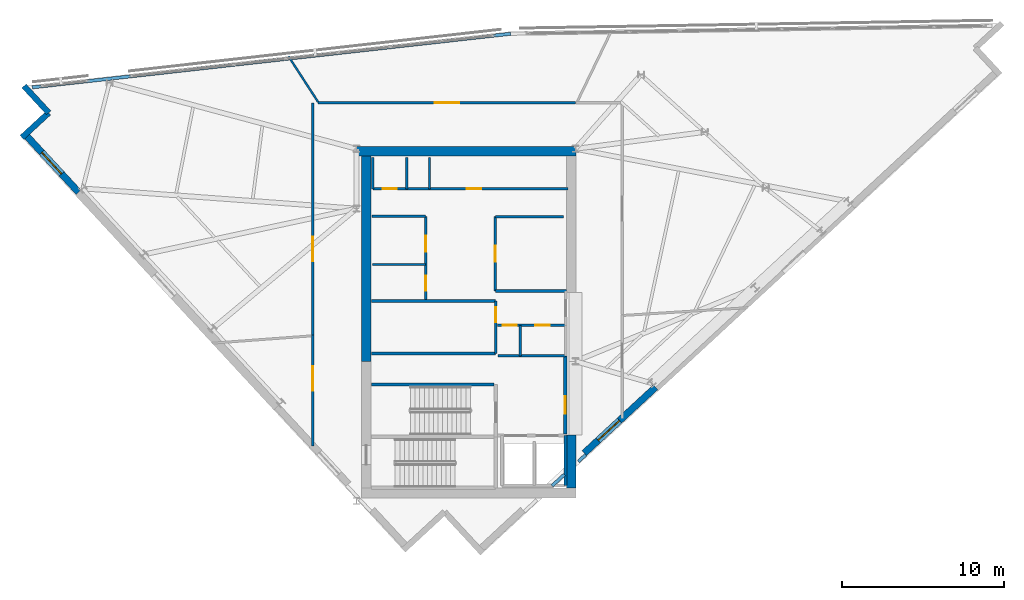
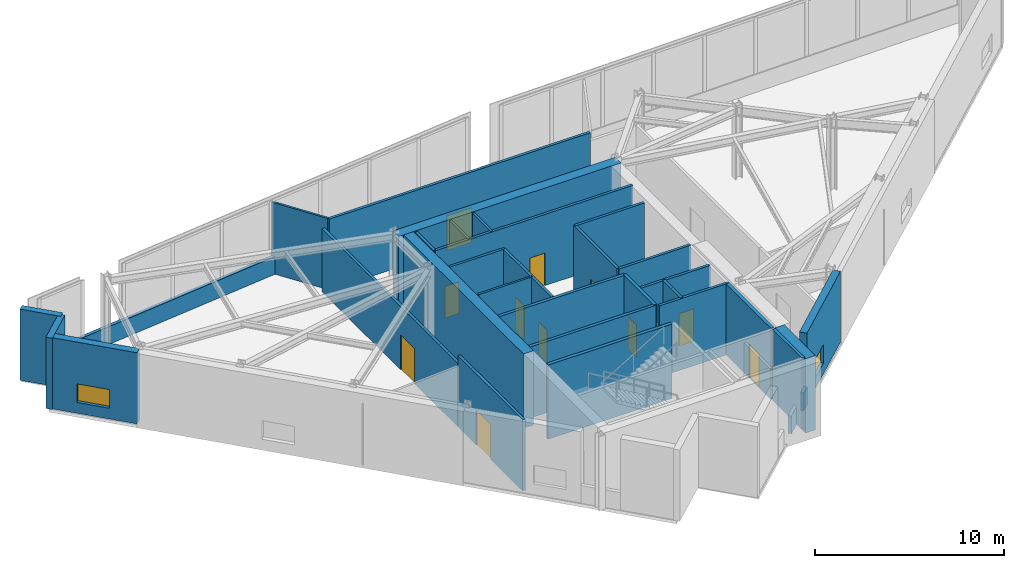
# One storey, part 9 of 12: 33 walls, 12 doors, 2 windows, 14 openings.
"""IFC4 building model written with IfcOpenShell, lengths in metres."""

import ifcopenshell
import ifcopenshell.guid

model = None  # the IFC model being written
_history = None  # IfcOwnerHistory: only IFC2X3 demands one
_inside = {}  # id of a spatial element -> (the spatial element, [elements in it])
_under = {}  # id of a project, library or spatial element -> (it, [spatial elements below it])
_declared = {}  # id of a project -> (the project, [libraries it declares])
_typed = {}  # id of a type object -> (the type object, [elements of that type])
_made_of = {}  # id of a material, layer set ... -> (it, [elements and type objects made of it])


def new_model(schema):
    """Start an empty IFC model of exactly this schema.

    Asked for "IFC4X3", IfcOpenShell would pick the latest addendum, in which some entities
    have other attributes; the version numbers below select the first issue.
    IFC2X3 requires an IfcOwnerHistory on every rooted entity: one is made here for all.
    """
    global model, _history
    if schema == "IFC4X3":
        model = ifcopenshell.file(schema_version=(4, 3, 0, 0))
    else:
        model = ifcopenshell.file(schema=schema)
    _inside.clear()
    _under.clear()
    _declared.clear()
    _typed.clear()
    _made_of.clear()
    _history = None
    if model.schema == "IFC2X3":
        org = make("IfcOrganization", Name="unknown")
        user = make(
            "IfcPersonAndOrganization",
            ThePerson=make("IfcPerson", FamilyName="unknown"),
            TheOrganization=org,
        )
        app = make(
            "IfcApplication",
            ApplicationDeveloper=org,
            Version="unknown",
            ApplicationFullName="unknown",
            ApplicationIdentifier="unknown",
        )
        _history = make(
            "IfcOwnerHistory",
            OwningUser=user,
            OwningApplication=app,
            ChangeAction="ADDED",
            CreationDate=0,
        )
    return model


def make(cls, **values):
    """One entity of the class cls with the attributes given. An attribute that is None is left unset."""
    return model.create_entity(
        cls, **{name: value for name, value in values.items() if value is not None}
    )


def rooted(cls, **values):
    """An entity with a GlobalId (a new one), such as an element, a storey or a relation."""
    return make(cls, GlobalId=ifcopenshell.guid.new(), OwnerHistory=_history, **values)


def si_unit(unit_type, name, prefix=None):
    """IfcSIUnit, for example si_unit("LENGTHUNIT", "METRE", prefix="MILLI")."""
    return make("IfcSIUnit", UnitType=unit_type, Prefix=prefix, Name=name)


def assignment(units):
    """IfcUnitAssignment: the units of a project."""
    return None if units is None else make("IfcUnitAssignment", Units=units)


def point(xyz):
    """IfcCartesianPoint."""
    return None if xyz is None else make("IfcCartesianPoint", Coordinates=xyz)


def direction(xyz):
    """IfcDirection."""
    return None if xyz is None else make("IfcDirection", DirectionRatios=xyz)


def frame(location, z_axis=None, x_axis=None):
    """IfcAxis2Placement3D, a coordinate frame: its origin and axes. An axis left out is left unset."""
    return make(
        "IfcAxis2Placement3D",
        Location=point(location),
        Axis=direction(z_axis),
        RefDirection=direction(x_axis),
    )


def frame_2d(location, x_axis=None):
    """IfcAxis2Placement2D, a coordinate frame in the plane: its origin and x axis."""
    return make(
        "IfcAxis2Placement2D", Location=point(location), RefDirection=direction(x_axis)
    )


def origin():
    """The frame at (0, 0, 0) with its axes left unset."""
    return frame((0.0, 0.0, 0.0))


def place(relative_to, where):
    """IfcLocalPlacement: puts the frame where relative to a parent placement (None: the world)."""
    return make(
        "IfcLocalPlacement", PlacementRelTo=relative_to, RelativePlacement=where
    )


def context(
    kind, dimensions, precision=None, world=None, true_north=None, identifier=None
):
    """IfcGeometricRepresentationContext, for example the 3D "Model" context."""
    return make(
        "IfcGeometricRepresentationContext",
        ContextIdentifier=identifier,
        ContextType=kind,
        CoordinateSpaceDimension=dimensions,
        Precision=precision,
        WorldCoordinateSystem=world,
        TrueNorth=true_north,
    )


def subcontext(parent, identifier, kind, view, scale=None):
    """IfcGeometricRepresentationSubContext, for example "Body" below "Model"."""
    return make(
        "IfcGeometricRepresentationSubContext",
        ContextIdentifier=identifier,
        ContextType=kind,
        ParentContext=parent,
        TargetScale=scale,
        TargetView=view,
    )


def project(units=None, contexts=None):
    """IfcProject with its units and contexts."""
    return rooted(
        "IfcProject",
        Name="project",
        RepresentationContexts=contexts,
        UnitsInContext=assignment(units),
    )


def spatial(cls, under=None, at=None, **own):
    """A site, building, storey or space (cls), placed at a placement, below another one or the project."""
    s = rooted(cls, ObjectPlacement=at, **own)
    if under is not None:
        _under.setdefault(under.id(), (under, []))[1].append(s)
    return s


def polyline(points):
    """IfcPolyline through the points."""
    return make("IfcPolyline", Points=[point(p) for p in points])


def profile(cls, at=None, kind="AREA", **sizes):
    """A parametric profile (cls). Its sizes go by their IFC names, for example OverallWidth=200.0."""
    return make(cls, ProfileType=kind, Position=at, **sizes)


def rectangle(**sizes):
    """IfcRectangleProfileDef."""
    return profile("IfcRectangleProfileDef", **sizes)


def outline(outer, holes=None, kind="AREA"):
    """IfcArbitraryClosedProfileDef: a profile drawn as a closed curve; with holes, ...WithVoids."""
    if holes is None:
        return make("IfcArbitraryClosedProfileDef", ProfileType=kind, OuterCurve=outer)
    return make(
        "IfcArbitraryProfileDefWithVoids",
        ProfileType=kind,
        OuterCurve=outer,
        InnerCurves=holes,
    )


def extrude(swept, where, along, depth):
    """IfcExtrudedAreaSolid: the profile swept, set in the frame where, extruded along a direction by depth."""
    return make(
        "IfcExtrudedAreaSolid",
        SweptArea=swept,
        Position=where,
        ExtrudedDirection=direction(along),
        Depth=depth,
    )


def shape(context_of_items, identifier, shape_type, items):
    """IfcShapeRepresentation: the items that make up one representation, for example the "Body"."""
    return make(
        "IfcShapeRepresentation",
        ContextOfItems=context_of_items,
        RepresentationIdentifier=identifier,
        RepresentationType=shape_type,
        Items=items,
    )


def material(Name=None, Category=None):
    """IfcMaterial."""
    return make("IfcMaterial", Name=Name, Category=Category)


def layer(
    of_material, thickness, ventilated=None, Name=None, Category=None, Priority=None
):
    """IfcMaterialLayer: one layer of a wall or slab, of a material (None: an air gap)."""
    return make(
        "IfcMaterialLayer",
        Material=of_material,
        LayerThickness=thickness,
        IsVentilated=ventilated,
        Name=Name,
        Category=Category,
        Priority=Priority,
    )


def layer_set(layers, Name=None):
    """IfcMaterialLayerSet."""
    return make("IfcMaterialLayerSet", MaterialLayers=layers, LayerSetName=Name)


def made_of(thing, what):
    """Note that an element or type object is made of a material, layer set ...; save() writes the relation."""
    if what is not None:
        _made_of.setdefault(what.id(), (what, []))[1].append(thing)
    return thing


def type_object(cls, material=None, **own):
    """A type object (cls), such as IfcWallType, which elements share."""
    return made_of(rooted(cls, **own), material)


def element(
    cls,
    number,
    at=None,
    inside=None,
    cuts=None,
    type_object=None,
    material=None,
    context=None,
    identifier="Body",
    shape_type=None,
    held_by="IfcProductDefinitionShape",
    body=None,
    shapes=None,
    **own,
):
    """One element of the class cls, such as IfcWall. Its Tag is "e" and its number.

    at: its placement. inside: the storey or other place that contains it. cuts: it is an
    opening in that element (IfcRelVoidsElement). A single representation is given by context,
    identifier, shape_type and body (its items); several are given by shapes. held_by: the class
    of the entity that holds the representations. save() writes the other relations.
    """
    e = rooted(cls, Tag="e%d" % number, ObjectPlacement=at, **own)
    if body is not None:
        shapes = [shape(context, identifier, shape_type, body)]
    if shapes is not None:
        e.Representation = make(held_by, Representations=shapes)
    if inside is not None:
        _inside.setdefault(inside.id(), (inside, []))[1].append(e)
    if cuts is not None:
        rooted(
            "IfcRelVoidsElement", RelatingBuildingElement=cuts, RelatedOpeningElement=e
        )
    if type_object is not None:
        _typed.setdefault(type_object.id(), (type_object, []))[1].append(e)
    return made_of(e, material)


def fill(opening, filler):
    """IfcRelFillsElement: the door or window that sits in an opening."""
    return rooted(
        "IfcRelFillsElement",
        RelatingOpeningElement=opening,
        RelatedBuildingElement=filler,
    )


def aggregate(whole, parts):
    """IfcRelAggregates: a whole, such as a stair, and the parts it consists of."""
    return rooted("IfcRelAggregates", RelatingObject=whole, RelatedObjects=parts)


def save(model, path):
    """Write the relations noted so far, then the file.

    IfcRelAggregates (storeys below a building ...), IfcRelContainedInSpatialStructure (elements
    in a storey), IfcRelDefinesByType, IfcRelAssociatesMaterial and IfcRelDeclares: one each for
    every whole, place, type object, material and project.
    """
    for whole, parts in _under.values():
        aggregate(whole, parts)
    for where, things in _inside.values():
        rooted(
            "IfcRelContainedInSpatialStructure",
            RelatedElements=things,
            RelatingStructure=where,
        )
    for kind, things in _typed.values():
        rooted("IfcRelDefinesByType", RelatedObjects=things, RelatingType=kind)
    for what, things in _made_of.values():
        rooted("IfcRelAssociatesMaterial", RelatedObjects=things, RelatingMaterial=what)
    for by, libraries in _declared.values():
        rooted("IfcRelDeclares", RelatingContext=by, RelatedDefinitions=libraries)
    model.write(path)


model = new_model("IFC4")

# Units and contexts
model_context = context("Model", 3, precision=1e-05, world=origin(), true_north=direction((0.0, 1.0)))
body_context = subcontext(model_context, "Body", "Model", "MODEL_VIEW")
ifc_project = project(units=[si_unit("LENGTHUNIT", "METRE"), si_unit("AREAUNIT", "SQUARE_METRE"), si_unit("VOLUMEUNIT", "CUBIC_METRE"), si_unit("PLANEANGLEUNIT", "RADIAN"), si_unit("MASSUNIT", "GRAM", prefix="KILO")], contexts=[model_context])

# Site, building, storey
site_placement = place(None, origin())
site = spatial("IfcSite", under=ifc_project, at=site_placement, CompositionType="ELEMENT")
building_placement = place(site_placement, origin())
building = spatial("IfcBuilding", under=site, at=building_placement, Name="Narakoshi Arena Tower", CompositionType="ELEMENT")
storey_placement = place(building_placement, frame((0.0, 0.0, 302.97998046875)))
storey = spatial("IfcBuildingStorey", under=building, at=storey_placement, Name="L82", CompositionType="ELEMENT", Elevation=302.97998046875)

# Walls
ifc_material_1 = material(Name="Concrete C50/60", Category="concrete")
ifc_layer_1 = layer(ifc_material_1, 0.60009765625)
ifc_layer_set_1 = layer_set([ifc_layer_1], Name="Concrete C50/60")
wall_type_1 = type_object("IfcWallType", Name="WL-CORE-600", PredefinedType="SHEAR", material=ifc_layer_set_1)
wall_1_placement = place(storey_placement, frame((85.300048828125, 35.5, -0.199951171875), z_axis=(0.0, 0.0, 1.0), x_axis=(0.0, 1.0, 0.0)))
element("IfcWall", 1, at=wall_1_placement, inside=storey, type_object=wall_type_1, Name="L82 Central Core Shear Wall CW-APX-E", PredefinedType="SHEAR", context=body_context, shape_type="SweptSolid", body=[
    extrude(rectangle(XDim=3.300048828125, YDim=0.60009765625, at=frame_2d((1.64990234375, 0.0))), origin(), (0.0, 0.0, 1.0), 4.800048828125),
])
wall_2_placement = place(storey_placement, frame((72.60009765625, 43.35009765625, -0.199951171875), z_axis=(0.0, 0.0, 1.0), x_axis=(0.0, 1.0, 0.0)))
element("IfcWall", 2, at=wall_2_placement, inside=storey, type_object=wall_type_1, Name="L82 Main Core Shear Wall CW-MN-W", PredefinedType="SHEAR", context=body_context, shape_type="SweptSolid", body=[
    extrude(rectangle(XDim=12.699951171875, YDim=0.60009765625, at=frame_2d((6.35009765625, 0.0))), origin(), (0.0, 0.0, 1.0), 4.800048828125),
])
wall_3_placement = place(storey_placement, frame((72.0, 56.35009765625, -0.199951171875), z_axis=(0.0, 0.0, 1.0), x_axis=(1.0, 0.0, 0.0)))
element("IfcWall", 3, at=wall_3_placement, inside=storey, type_object=wall_type_1, Name="L82 Main Core Shear Wall CW-MN-N", PredefinedType="SHEAR", context=body_context, shape_type="SweptSolid", body=[
    extrude(rectangle(XDim=13.60009765625, YDim=0.60009765625, at=frame_2d((6.800048828125, 0.0))), origin(), (0.0, 0.0, 1.0), 4.800048828125),
])

# Wall, opening, door
ifc_material_2 = material(Name="Gypsum plasterboard fire-rated partition")
ifc_layer_2 = layer(ifc_material_2, 0.1650390625)
ifc_layer_set_2 = layer_set([ifc_layer_2], Name="Gypsum plasterboard fire-rated partition")
wall_type_2 = type_object("IfcWallType", Name="WL-CORR-165", PredefinedType="PARTITIONING", material=ifc_layer_set_2)
wall_4_placement = place(storey_placement, frame((69.300048828125, 44.96533203125, 0.0), z_axis=(0.0, 0.0, 1.0), x_axis=(0.0, -1.0, 0.0)))
wall_4 = element("IfcWall", 4, at=wall_4_placement, inside=storey, type_object=wall_type_2, Name="L82 Corridor Partition 01-1", PredefinedType="PARTITIONING", context=body_context, shape_type="SweptSolid", body=[
    extrude(rectangle(XDim=6.856201171875, YDim=0.1650390625, at=frame_2d((3.42822265625, 0.0))), origin(), (0.0, 0.0, 1.0), 4.60009765625),
])
opening_1_placement = place(wall_4_placement, frame((1.9345703125, 0.0, 0.0)))
opening_1 = element("IfcOpeningElement", 5, at=opening_1_placement, cuts=wall_4, Name="Opening D-09", PredefinedType="OPENING", context=body_context, shape_type="SweptSolid", body=[
    extrude(rectangle(XDim=1.5, YDim=2.25, at=frame_2d((0.75, 1.125))), frame((0.0, 0.092529296875, 0.0), z_axis=(0.0, -1.0, 0.0), x_axis=(1.0, 0.0, 0.0)), (0.0, 0.0, 1.0), 0.18505859375),
])
ifc_material_3 = material(Name="Painted galvanized steel", Category="steel")
door_type_1 = type_object("IfcDoorType", Name="DR-PLT-1500", OperationType="DOUBLE_DOOR_SINGLE_SWING", PredefinedType="DOOR", material=ifc_material_3)
door_1_placement = place(opening_1_placement, frame((1.5, 0.0, 0.0), z_axis=(0.0, 0.0, 1.0), x_axis=(-1.0, 0.0, 0.0)))
door_1 = element("IfcDoor", 6, at=door_1_placement, inside=storey, type_object=door_type_1, Name="DR-L82-015", OperationType="DOUBLE_DOOR_SINGLE_SWING", OverallHeight=2.25, OverallWidth=1.5, PredefinedType="DOOR", context=body_context, shape_type="SweptSolid", body=[
    extrude(rectangle(XDim=1.5, YDim=2.25, at=frame_2d((0.75, 1.125))), frame((0.0, 0.02490234375, 0.0), z_axis=(0.0, -1.0, 0.0), x_axis=(1.0, 0.0, 0.0)), (0.0, 0.0, 1.0), 0.050048828125),
])
fill(opening_1, door_1)

wall_5_placement = place(storey_placement, frame((85.5673828125, 59.35009765625, 0.0), z_axis=(0.0, 0.0, 1.0), x_axis=(-1.0, 0.0, 0.0)))
wall_5 = element("IfcWall", 7, at=wall_5_placement, inside=storey, type_object=wall_type_2, Name="L82 Corridor Partition 04-1", PredefinedType="PARTITIONING", context=body_context, shape_type="SweptSolid", body=[
    extrude(rectangle(XDim=15.9404296875, YDim=0.1650390625, at=frame_2d((7.97021484375, 0.0))), origin(), (0.0, 0.0, 1.0), 4.60009765625),
])
opening_2_placement = place(wall_5_placement, frame((7.22021484375, 0.0, 0.0)))
opening_2 = element("IfcOpeningElement", 8, at=opening_2_placement, cuts=wall_5, Name="Opening D-09", PredefinedType="OPENING", context=body_context, shape_type="SweptSolid", body=[
    extrude(rectangle(XDim=1.5, YDim=2.25, at=frame_2d((0.75, 1.125))), frame((0.0, 0.092529296875, 0.0), z_axis=(0.0, -1.0, 0.0), x_axis=(1.0, 0.0, 0.0)), (0.0, 0.0, 1.0), 0.18505859375),
])
door_2_placement = place(opening_2_placement, frame((1.5, 0.0, 0.0), z_axis=(0.0, 0.0, 1.0), x_axis=(-1.0, 0.0, 0.0)))
door_2 = element("IfcDoor", 9, at=door_2_placement, inside=storey, type_object=door_type_1, Name="DR-L82-018", OperationType="DOUBLE_DOOR_SINGLE_SWING", OverallHeight=2.25, OverallWidth=1.5, PredefinedType="DOOR", context=body_context, shape_type="SweptSolid", body=[
    extrude(rectangle(XDim=1.5, YDim=2.25, at=frame_2d((0.75, 1.125))), frame((0.0, 0.02490234375, 0.0), z_axis=(0.0, -1.0, 0.0), x_axis=(1.0, 0.0, 0.0)), (0.0, 0.0, 1.0), 0.050048828125),
])
fill(opening_2, door_2)

wall_6_placement = place(storey_placement, frame((69.300048828125, 59.35009765625, 0.0), z_axis=(0.0, 0.0, 1.0), x_axis=(0.0, -1.0, 0.0)))
wall_6 = element("IfcWall", 10, at=wall_6_placement, inside=storey, type_object=wall_type_2, Name="L82 Corridor Partition 05-1", PredefinedType="PARTITIONING", context=body_context, shape_type="SweptSolid", body=[
    extrude(rectangle(XDim=14.360595703125, YDim=0.1650390625, at=frame_2d((7.18017578125, 0.0))), origin(), (0.0, 0.0, 1.0), 4.0849609375),
])
opening_3_placement = place(wall_6_placement, frame((8.29931640625, 0.0, 0.0)))
opening_3 = element("IfcOpeningElement", 11, at=opening_3_placement, cuts=wall_6, Name="Opening D-09", PredefinedType="OPENING", context=body_context, shape_type="SweptSolid", body=[
    extrude(rectangle(XDim=1.5, YDim=2.25, at=frame_2d((0.75, 1.125))), frame((0.0, 0.092529296875, 0.0), z_axis=(0.0, -1.0, 0.0), x_axis=(1.0, 0.0, 0.0)), (0.0, 0.0, 1.0), 0.18505859375),
])
door_3_placement = place(opening_3_placement, frame((1.5, 0.0, 0.0), z_axis=(0.0, 0.0, 1.0), x_axis=(-1.0, 0.0, 0.0)))
door_3 = element("IfcDoor", 12, at=door_3_placement, inside=storey, type_object=door_type_1, Name="DR-L82-019", OperationType="DOUBLE_DOOR_SINGLE_SWING", OverallHeight=2.25, OverallWidth=1.5, PredefinedType="DOOR", context=body_context, shape_type="SweptSolid", body=[
    extrude(rectangle(XDim=1.5, YDim=2.25, at=frame_2d((0.75, 1.125))), frame((0.0, 0.02490234375, 0.0), z_axis=(0.0, -1.0, 0.0), x_axis=(1.0, 0.0, 0.0)), (0.0, 0.0, 1.0), 0.050048828125),
])
fill(opening_3, door_3)

# Walls
ifc_material_4 = material(Name="Precast concrete C45/55", Category="concrete")
ifc_layer_3 = layer(ifc_material_4, 0.25)
ifc_layer_set_3 = layer_set([ifc_layer_3], Name="Precast concrete C45/55")
wall_type_3 = type_object("IfcWallType", Name="WL-PARA-250", PredefinedType="PARAPET", material=ifc_layer_set_3)
wall_7_placement = place(storey_placement, frame((51.936279296875, 60.3037109375, 0.0), z_axis=(0.0, 0.0, 1.0), x_axis=(0.993776757355, 0.111390109707, 0.0)))
element("IfcWall", 13, at=wall_7_placement, inside=storey, type_object=wall_type_3, Name="L82 Crown Sill Upstand Parapet 03", PredefinedType="PARAPET", context=body_context, shape_type="SweptSolid", body=[
    extrude(rectangle(XDim=29.797119140625, YDim=0.199951171875, at=frame_2d((14.8984375, 0.0))), origin(), (0.0, 0.0, 1.0), 1.14990234375),
])
wall_8_placement = place(storey_placement, frame((86.191650390625, 37.56591796875, 0.0), z_axis=(0.0, 0.0, 1.0), x_axis=(-0.734346728958, -0.678774544064, 0.0)))
element("IfcWall", 14, at=wall_8_placement, inside=storey, type_object=wall_type_3, Name="L82 Crown Sill Upstand Parapet 05", PredefinedType="PARAPET", context=body_context, shape_type="SweptSolid", body=[
    extrude(rectangle(XDim=0.614990234375, YDim=0.199951171875, at=frame_2d((0.3076171875, 0.0))), origin(), (0.0, 0.0, 1.0), 1.14990234375),
])
wall_9_placement = place(storey_placement, frame((84.860107421875, 36.3349609375, 0.0), z_axis=(0.0, 0.0, 1.0), x_axis=(-0.734337093013, -0.678784968768, 0.0)))
element("IfcWall", 15, at=wall_9_placement, inside=storey, type_object=wall_type_3, Name="L82 Crown Sill Upstand Parapet 06", PredefinedType="PARAPET", context=body_context, shape_type="SweptSolid", body=[
    extrude(rectangle(XDim=1.02392578125, YDim=0.199951171875, at=frame_2d((0.511962890625, 0.0))), origin(), (0.0, 0.0, 1.0), 1.14990234375),
])
ifc_layer_4 = layer(ifc_material_2, 0.125)
ifc_layer_set_4 = layer_set([ifc_layer_4], Name="Gypsum plasterboard fire-rated partition")
wall_type_4 = type_object("IfcWallType", Name="WL-PART-125", PredefinedType="PARTITIONING", material=ifc_layer_set_4)
wall_10_placement = place(storey_placement, frame((73.0, 49.35009765625, 0.0), z_axis=(0.0, 0.0, 1.0), x_axis=(1.0, 0.0, 0.0)))
element("IfcWall", 16, at=wall_10_placement, inside=storey, type_object=wall_type_4, Name="L82 Core Wall RCL-LR-D1", PredefinedType="PARTITIONING", context=body_context, shape_type="SweptSolid", body=[
    extrude(rectangle(XDim=3.280029296875, YDim=0.125, at=frame_2d((1.64013671875, 0.0))), origin(), (0.0, 0.0, 1.0), 4.60009765625),
])
wall_11_placement = place(storey_placement, frame((69.626953125, 59.39794921875, 0.0), z_axis=(0.0, 0.0, 1.0), x_axis=(-0.544077969561, 0.839034661404, 0.0)))
element("IfcWall", 17, at=wall_11_placement, inside=storey, type_object=wall_type_4, Name="L82 Inter-Room Partition 04-05", PredefinedType="PARTITIONING", context=body_context, shape_type="SweptSolid", body=[
    extrude(rectangle(XDim=3.3662109375, YDim=0.125, at=frame_2d((1.68310546875, 0.0))), origin(), (0.0, 0.0, 1.0), 4.60009765625),
])

# Wall, opening, window
ifc_layer_5 = layer(ifc_material_4, 0.419921875)
ifc_layer_set_5 = layer_set([ifc_layer_5], Name="Precast concrete C45/55")
wall_type_5 = type_object("IfcWallType", Name="WL-POD-420", PredefinedType="SOLIDWALL", material=ifc_layer_set_5)
wall_12_placement = place(storey_placement, frame((86.10009765625, 37.6650390625, 0.0), z_axis=(0.0, 0.0, 1.0), x_axis=(0.734321413343, 0.678801931277, 0.0)))
wall_12 = element("IfcWall", 18, at=wall_12_placement, inside=storey, type_object=wall_type_5, Name="L82 Architectural Concrete Facade Wall LEGA-2", PredefinedType="SOLIDWALL", context=body_context, shape_type="SweptSolid", body=[
    extrude(outline(polyline([(0.0, 0.0), (6.00244140625, 0.0), (6.00244140625, 4.60009765625), (0.0, 4.60009765625), (0.0, 0.0)])), frame((0.0, 0.2099609375, 0.0), z_axis=(0.0, -1.0, 0.0), x_axis=(1.0, 0.0, 0.0)), (0.0, 0.0, 1.0), 0.419921875),
])
opening_4_placement = place(wall_12_placement, frame((1.169189453125, 0.0, 0.699951171875)))
opening_4 = element("IfcOpeningElement", 19, at=opening_4_placement, cuts=wall_12, Name="Opening WN-05", PredefinedType="OPENING", context=body_context, shape_type="SweptSolid", body=[
    extrude(rectangle(XDim=1.800048828125, YDim=1.199951171875, at=frame_2d((0.89990234375, 0.60009765625))), frame((0.0, 0.219970703125, 0.0), z_axis=(0.0, -1.0, 0.0), x_axis=(1.0, 0.0, 0.0)), (0.0, 0.0, 1.0), 0.43994140625),
])
ifc_material_5 = material(Name="Bronze-tinted low-E laminated glass", Category="glass")
window_type = type_object("IfcWindowType", Name="WIN-SLT-18x12", PartitioningType="SINGLE_PANEL", PredefinedType="WINDOW", material=ifc_material_5)
window_1_placement = place(opening_4_placement, origin())
window_1 = element("IfcWindow", 20, at=window_1_placement, inside=storey, type_object=window_type, Name="L82 LEGA2 Horizontal Slot Window 1", OverallHeight=1.199951171875, OverallWidth=1.800048828125, PartitioningType="SINGLE_PANEL", PredefinedType="WINDOW", context=body_context, shape_type="SweptSolid", body=[
    extrude(rectangle(XDim=1.800048828125, YDim=1.199951171875, at=frame_2d((0.89990234375, 0.60009765625))), frame((0.0, 0.030029296875, 0.0), z_axis=(0.0, -1.0, 0.0), x_axis=(1.0, 0.0, 0.0)), (0.0, 0.0, 1.0), 0.06005859375),
])
fill(opening_4, window_1)

wall_13_placement = place(storey_placement, frame((51.5, 57.38720703125, 0.0), z_axis=(0.0, 0.0, 1.0), x_axis=(0.67880684669, -0.734316869537, 0.0)))
wall_13 = element("IfcWall", 21, at=wall_13_placement, inside=storey, type_object=wall_type_5, Name="L82 Architectural Concrete Facade Wall LEGB-1", PredefinedType="SOLIDWALL", context=body_context, shape_type="SweptSolid", body=[
    extrude(outline(polyline([(0.0, 0.0), (4.86865234375, 0.0), (4.868408203125, 4.60009765625), (0.0, 4.60009765625), (0.0, 0.0)])), frame((0.0, 0.2099609375, 0.0), z_axis=(0.0, -1.0, 0.0), x_axis=(1.0, 0.0, 0.0)), (0.0, 0.0, 1.0), 0.419921875),
])
opening_5_placement = place(wall_13_placement, frame((1.51708984375, 0.0, 0.699951171875)))
opening_5 = element("IfcOpeningElement", 22, at=opening_5_placement, cuts=wall_13, Name="Opening WN-05", PredefinedType="OPENING", context=body_context, shape_type="SweptSolid", body=[
    extrude(rectangle(XDim=1.800048828125, YDim=1.199951171875, at=frame_2d((0.89990234375, 0.60009765625))), frame((0.0, 0.219970703125, 0.0), z_axis=(0.0, -1.0, 0.0), x_axis=(1.0, 0.0, 0.0)), (0.0, 0.0, 1.0), 0.43994140625),
])
window_2_placement = place(opening_5_placement, origin())
window_2 = element("IfcWindow", 23, at=window_2_placement, inside=storey, type_object=window_type, Name="L82 LEGB1 Horizontal Slot Window 1", OverallHeight=1.199951171875, OverallWidth=1.800048828125, PartitioningType="SINGLE_PANEL", PredefinedType="WINDOW", context=body_context, shape_type="SweptSolid", body=[
    extrude(rectangle(XDim=1.800048828125, YDim=1.199951171875, at=frame_2d((0.89990234375, 0.60009765625))), frame((0.0, 0.030029296875, 0.0), z_axis=(0.0, -1.0, 0.0), x_axis=(1.0, 0.0, 0.0)), (0.0, 0.0, 1.0), 0.06005859375),
])
fill(opening_5, window_2)

# Walls
for number, where, z_axis, x_axis, name in (
    (24, (51.42333984375, 60.38720703125, 0.0), (0.0, 0.0, 1.0), (0.678792531533, -0.734330102294, 0.0), "L82 Re-Entrant Corner Notch Wall NTN-1"),
    (25, (52.9541015625, 58.731201171875, 0.0), (0.0, 0.0, 1.0), (-0.734330102294, -0.678792531533, 0.0), "L82 Re-Entrant Corner Notch Wall NTN-2"),
):
    element("IfcWall", number, at=place(storey_placement, frame(where, z_axis=z_axis, x_axis=x_axis)), inside=storey, type_object=wall_type_5, Name=name, PredefinedType="SOLIDWALL", context=body_context, shape_type="SweptSolid", body=[
        extrude(rectangle(XDim=2.255126953125, YDim=0.360107421875, at=frame_2d((1.12744140625, 0.0))), origin(), (0.0, 0.0, 1.0), 4.60009765625),
    ])
ifc_material_6 = material(Name="Concrete C40/50", Category="concrete")
ifc_layer_6 = layer(ifc_material_6, 0.280029296875)
ifc_layer_set_6 = layer_set([ifc_layer_6], Name="Concrete C40/50")
wall_type_6 = type_object("IfcWallType", Name="WL-RISER-280", PredefinedType="PLUMBINGWALL", material=ifc_layer_set_6)
wall_14_placement = place(storey_placement, frame((72.919921875, 43.830078125, 0.0), z_axis=(0.0, 0.0, 1.0), x_axis=(1.0, 0.0, 0.0)))
element("IfcWall", 26, at=wall_14_placement, inside=storey, type_object=wall_type_6, Name="L82 Core Wall CST-S", PredefinedType="PLUMBINGWALL", context=body_context, shape_type="SweptSolid", body=[
    extrude(rectangle(XDim=7.7001953125, YDim=0.179931640625, at=frame_2d((3.85009765625, 0.0))), origin(), (0.0, 0.0, 1.0), 4.60009765625),
])

# Wall, opening, door
wall_15_placement = place(storey_placement, frame((80.6201171875, 43.830078125, 0.0), z_axis=(0.0, 0.0, 1.0), x_axis=(0.0, 1.0, 0.0)))
wall_15 = element("IfcWall", 27, at=wall_15_placement, inside=storey, type_object=wall_type_6, Name="L82 Core Wall CST-E", PredefinedType="PLUMBINGWALL", context=body_context, shape_type="SweptSolid", body=[
    extrude(rectangle(XDim=3.239990234375, YDim=0.179931640625, at=frame_2d((1.6201171875, 0.0))), origin(), (0.0, 0.0, 1.0), 4.60009765625),
])
opening_6_placement = place(wall_15_placement, frame((1.949951171875, 0.0, 0.0)))
opening_6 = element("IfcOpeningElement", 28, at=opening_6_placement, cuts=wall_15, Name="Opening D-08", PredefinedType="OPENING", context=body_context, shape_type="SweptSolid", body=[
    extrude(rectangle(XDim=0.89990234375, YDim=2.10009765625, at=frame_2d((0.449951171875, 1.050048828125))), frame((0.0, 0.099853515625, 0.0), z_axis=(0.0, -1.0, 0.0), x_axis=(1.0, 0.0, 0.0)), (0.0, 0.0, 1.0), 0.199951171875),
])
ifc_material_7 = material(Name="Moisture-resistant laminate timber", Category="wood")
door_type_2 = type_object("IfcDoorType", Name="DR-WC-900", OperationType="NOTDEFINED", PredefinedType="DOOR", material=ifc_material_7)
door_4_placement = place(opening_6_placement, frame((0.89990234375, 0.0, 0.0), z_axis=(0.0, 0.0, 1.0), x_axis=(-1.0, 0.0, 0.0)))
door_4 = element("IfcDoor", 29, at=door_4_placement, inside=storey, type_object=door_type_2, Name="DR-L82-006", OperationType="SINGLE_SWING_RIGHT", OverallHeight=2.10009765625, OverallWidth=0.89990234375, PredefinedType="DOOR", context=body_context, shape_type="SweptSolid", body=[
    extrude(rectangle(XDim=0.89990234375, YDim=2.10009765625, at=frame_2d((0.449951171875, 1.050048828125))), frame((0.0, 0.02490234375, 0.0), z_axis=(0.0, -1.0, 0.0), x_axis=(1.0, 0.0, 0.0)), (0.0, 0.0, 1.0), 0.050048828125),
])
fill(opening_6, door_4)

# Wall
wall_16_placement = place(storey_placement, frame((72.919921875, 47.070068359375, 0.0), z_axis=(0.0, 0.0, 1.0), x_axis=(1.0, 0.0, 0.0)))
element("IfcWall", 30, at=wall_16_placement, inside=storey, type_object=wall_type_6, Name="L82 Core Wall CST-N", PredefinedType="PLUMBINGWALL", context=body_context, shape_type="SweptSolid", body=[
    extrude(rectangle(XDim=7.7001953125, YDim=0.179931640625, at=frame_2d((3.85009765625, 0.0))), origin(), (0.0, 0.0, 1.0), 4.60009765625),
])

# Wall, openings, doors
wall_17_placement = place(storey_placement, frame((80.719970703125, 45.580078125, 0.0), z_axis=(0.0, 0.0, 1.0), x_axis=(1.0, 0.0, 0.0)))
wall_17 = element("IfcWall", 31, at=wall_17_placement, inside=storey, type_object=wall_type_6, Name="L82 Core Wall RSR-N", PredefinedType="PLUMBINGWALL", context=body_context, shape_type="SweptSolid", body=[
    extrude(rectangle(XDim=4.22998046875, YDim=0.159912109375, at=frame_2d((2.114990234375, 0.0))), origin(), (0.0, 0.0, 1.0), 4.60009765625),
])
opening_7_placement = place(wall_17_placement, frame((0.35009765625, 0.0, 0.0)))
opening_7 = element("IfcOpeningElement", 32, at=opening_7_placement, cuts=wall_17, Name="Opening D-10", PredefinedType="OPENING", context=body_context, shape_type="SweptSolid", body=[
    extrude(rectangle(XDim=0.85009765625, YDim=2.050048828125, at=frame_2d((0.425048828125, 1.02490234375))), frame((0.0, 0.08984375, 0.0), z_axis=(0.0, -1.0, 0.0), x_axis=(1.0, 0.0, 0.0)), (0.0, 0.0, 1.0), 0.179931640625),
])
opening_8_placement = place(wall_17_placement, frame((2.35009765625, 0.0, 0.0)))
opening_8 = element("IfcOpeningElement", 33, at=opening_8_placement, cuts=wall_17, Name="Opening D-08", PredefinedType="OPENING", context=body_context, shape_type="SweptSolid", body=[
    extrude(rectangle(XDim=0.89990234375, YDim=2.10009765625, at=frame_2d((0.449951171875, 1.050048828125))), frame((0.0, 0.08984375, 0.0), z_axis=(0.0, -1.0, 0.0), x_axis=(1.0, 0.0, 0.0)), (0.0, 0.0, 1.0), 0.179931640625),
])
door_type_3 = type_object("IfcDoorType", Name="DR-RSR-850", OperationType="NOTDEFINED", PredefinedType="DOOR", material=ifc_material_3)
door_5_placement = place(opening_7_placement, frame((0.85009765625, 0.0, 0.0), z_axis=(0.0, 0.0, 1.0), x_axis=(-1.0, 0.0, 0.0)))
door_5 = element("IfcDoor", 34, at=door_5_placement, inside=storey, type_object=door_type_3, Name="DR-L82-008", OperationType="SINGLE_SWING_LEFT", OverallHeight=2.050048828125, OverallWidth=0.85009765625, PredefinedType="DOOR", context=body_context, shape_type="SweptSolid", body=[
    extrude(rectangle(XDim=0.85009765625, YDim=2.050048828125, at=frame_2d((0.425048828125, 1.02490234375))), frame((0.0, 0.02490234375, 0.0), z_axis=(0.0, -1.0, 0.0), x_axis=(1.0, 0.0, 0.0)), (0.0, 0.0, 1.0), 0.050048828125),
])
fill(opening_7, door_5)
door_6_placement = place(opening_8_placement, frame((0.89990234375, 0.0, 0.0), z_axis=(0.0, 0.0, 1.0), x_axis=(-1.0, 0.0, 0.0)))
door_6 = element("IfcDoor", 35, at=door_6_placement, inside=storey, type_object=door_type_2, Name="DR-L82-009", OperationType="SINGLE_SWING_RIGHT", OverallHeight=2.10009765625, OverallWidth=0.89990234375, PredefinedType="DOOR", context=body_context, shape_type="SweptSolid", body=[
    extrude(rectangle(XDim=0.89990234375, YDim=2.10009765625, at=frame_2d((0.449951171875, 1.050048828125))), frame((0.0, 0.02490234375, 0.0), z_axis=(0.0, -1.0, 0.0), x_axis=(1.0, 0.0, 0.0)), (0.0, 0.0, 1.0), 0.050048828125),
])
fill(opening_8, door_6)

# Walls
wall_18_placement = place(storey_placement, frame((80.760009765625, 43.679931640625, 0.0), z_axis=(0.0, 0.0, 1.0), x_axis=(1.0, 0.0, 0.0)))
element("IfcWall", 36, at=wall_18_placement, inside=storey, type_object=wall_type_6, Name="L82 Core Wall RSR-S", PredefinedType="PLUMBINGWALL", context=body_context, shape_type="SweptSolid", body=[
    extrude(rectangle(XDim=4.18994140625, YDim=0.159912109375, at=frame_2d((2.094970703125, 0.0))), origin(), (0.0, 0.0, 1.0), 4.60009765625),
])
wall_19_placement = place(storey_placement, frame((82.14990234375, 43.679931640625, 0.0), z_axis=(0.0, 0.0, 1.0), x_axis=(0.0, 1.0, 0.0)))
element("IfcWall", 37, at=wall_19_placement, inside=storey, type_object=wall_type_6, Name="L82 Core Wall RSR-M", PredefinedType="PLUMBINGWALL", context=body_context, shape_type="SweptSolid", body=[
    extrude(rectangle(XDim=1.900146484375, YDim=0.159912109375, at=frame_2d((0.9501953125, 0.0))), origin(), (0.0, 0.0, 1.0), 4.60009765625),
])
for number, where, z_axis, x_axis, name in (
    (38, (73.02001953125, 54.02001953125, 0.0), (0.0, 0.0, 1.0), (0.0, 1.0, 0.0), "L82 Core Wall OBS-W"),
    (39, (75.1201171875, 54.02001953125, 0.0), (0.0, 0.0, 1.0), (0.0, 1.0, 0.0), "L82 Core Wall OBS-M"),
    (40, (76.52001953125, 54.02001953125, 0.0), (0.0, 0.0, 1.0), (0.0, 1.0, 0.0), "L82 Core Wall OBS-E"),
):
    element("IfcWall", number, at=place(storey_placement, frame(where, z_axis=z_axis, x_axis=x_axis)), inside=storey, type_object=wall_type_6, Name=name, PredefinedType="PLUMBINGWALL", context=body_context, shape_type="SweptSolid", body=[
        extrude(rectangle(XDim=1.93994140625, YDim=0.14990234375, at=frame_2d((0.969970703125, 0.0))), origin(), (0.0, 0.0, 1.0), 4.60009765625),
    ])
ifc_layer_7 = layer(ifc_material_1, 0.35009765625)
ifc_layer_set_7 = layer_set([ifc_layer_7], Name="Concrete C50/60")
wall_type_7 = type_object("IfcWallType", Name="WL-SHAFT-350", PredefinedType="SOLIDWALL", material=ifc_layer_set_7)
wall_20_placement = place(storey_placement, frame((84.949951171875, 35.64990234375, 0.0), z_axis=(0.0, 0.0, 1.0), x_axis=(0.0, 1.0, 0.0)))
element("IfcWall", 41, at=wall_20_placement, inside=storey, type_object=wall_type_7, Name="L82 Core Wall FF-E", PredefinedType="SOLIDWALL", context=body_context, shape_type="SweptSolid", body=[
    extrude(rectangle(XDim=3.10009765625, YDim=0.179931640625, at=frame_2d((1.550048828125, 0.0))), origin(), (0.0, 0.0, 1.0), 4.60009765625),
])

# Wall, opening, door
wall_21_placement = place(storey_placement, frame((84.919921875, 38.85009765625, 0.0), z_axis=(0.0, 0.0, 1.0), x_axis=(0.0, 1.0, 0.0)))
wall_21 = element("IfcWall", 42, at=wall_21_placement, inside=storey, type_object=wall_type_7, Name="L82 Core Wall FFLOB-E", PredefinedType="SOLIDWALL", context=body_context, shape_type="SweptSolid", body=[
    extrude(rectangle(XDim=4.829833984375, YDim=0.199951171875, at=frame_2d((2.4150390625, 0.0))), origin(), (0.0, 0.0, 1.0), 4.60009765625),
])
opening_9_placement = place(wall_21_placement, frame((1.25, 0.0, 0.0)))
opening_9 = element("IfcOpeningElement", 43, at=opening_9_placement, cuts=wall_21, Name="Opening D-04", PredefinedType="OPENING", context=body_context, shape_type="SweptSolid", body=[
    extrude(rectangle(XDim=1.10009765625, YDim=2.199951171875, at=frame_2d((0.550048828125, 1.10009765625))), frame((0.0, 0.10986328125, 0.0), z_axis=(0.0, -1.0, 0.0), x_axis=(1.0, 0.0, 0.0)), (0.0, 0.0, 1.0), 0.219970703125),
])
door_type_4 = type_object("IfcDoorType", Name="DR-FFL-1100", OperationType="NOTDEFINED", PredefinedType="DOOR", material=ifc_material_3)
door_7_placement = place(opening_9_placement, frame((1.10009765625, 0.0, 0.0), z_axis=(0.0, 0.0, 1.0), x_axis=(-1.0, 0.0, 0.0)))
door_7 = element("IfcDoor", 44, at=door_7_placement, inside=storey, type_object=door_type_4, Name="DR-L82-005", OperationType="SINGLE_SWING_RIGHT", OverallHeight=2.199951171875, OverallWidth=1.10009765625, PredefinedType="DOOR", context=body_context, shape_type="SweptSolid", body=[
    extrude(rectangle(XDim=1.10009765625, YDim=2.199951171875, at=frame_2d((0.550048828125, 1.10009765625))), frame((0.0, 0.02490234375, 0.0), z_axis=(0.0, -1.0, 0.0), x_axis=(1.0, 0.0, 0.0)), (0.0, 0.0, 1.0), 0.050048828125),
])
fill(opening_9, door_7)

# Wall
wall_22_placement = place(storey_placement, frame((72.919921875, 41.919921875, -0.199951171875), z_axis=(0.0, 0.0, 1.0), x_axis=(1.0, 0.0, 0.0)))
element("IfcWall", 45, at=wall_22_placement, inside=storey, type_object=wall_type_7, Name="L82 Core Wall ST2-N", PredefinedType="SOLIDWALL", context=body_context, shape_type="SweptSolid", body=[
    extrude(rectangle(XDim=7.580078125, YDim=0.199951171875, at=frame_2d((3.7900390625, 0.0))), origin(), (0.0, 0.0, 1.0), 4.800048828125),
])

# Wall, openings, doors
wall_23_placement = place(storey_placement, frame((76.280029296875, 47.179931640625, 0.0), z_axis=(0.0, 0.0, 1.0), x_axis=(0.0, 1.0, 0.0)))
wall_23 = element("IfcWall", 46, at=wall_23_placement, inside=storey, type_object=wall_type_7, Name="L82 Core Wall LR-E", PredefinedType="SOLIDWALL", context=body_context, shape_type="SweptSolid", body=[
    extrude(rectangle(XDim=5.14013671875, YDim=0.159912109375, at=frame_2d((2.570068359375, 0.0))), origin(), (0.0, 0.0, 1.0), 4.60009765625),
])
opening_10_placement = place(wall_23_placement, frame((0.550048828125, 0.0, 0.0)))
opening_10 = element("IfcOpeningElement", 47, at=opening_10_placement, cuts=wall_23, Name="Opening D-08", PredefinedType="OPENING", context=body_context, shape_type="SweptSolid", body=[
    extrude(rectangle(XDim=0.89990234375, YDim=2.10009765625, at=frame_2d((0.449951171875, 1.050048828125))), frame((0.0, 0.08984375, 0.0), z_axis=(0.0, -1.0, 0.0), x_axis=(1.0, 0.0, 0.0)), (0.0, 0.0, 1.0), 0.179931640625),
])
opening_11_placement = place(wall_23_placement, frame((2.949951171875, 0.0, 0.0)))
opening_11 = element("IfcOpeningElement", 48, at=opening_11_placement, cuts=wall_23, Name="Opening D-06", PredefinedType="OPENING", context=body_context, shape_type="SweptSolid", body=[
    extrude(rectangle(XDim=1.0, YDim=2.199951171875, at=frame_2d((0.5, 1.10009765625))), frame((0.0, 0.08984375, 0.0), z_axis=(0.0, -1.0, 0.0), x_axis=(1.0, 0.0, 0.0)), (0.0, 0.0, 1.0), 0.179931640625),
])
ifc_material_8 = material(Name="Stained oak solid-core timber", Category="wood")
door_type_5 = type_object("IfcDoorType", Name="DR-OFF-1000", OperationType="NOTDEFINED", PredefinedType="DOOR", material=ifc_material_8)
door_8_placement = place(opening_11_placement, frame((1.0, 0.0, 0.0), z_axis=(0.0, 0.0, 1.0), x_axis=(-1.0, 0.0, 0.0)))
door_8 = element("IfcDoor", 49, at=door_8_placement, inside=storey, type_object=door_type_5, Name="DR-L82-011", OperationType="SINGLE_SWING_LEFT", OverallHeight=2.199951171875, OverallWidth=1.0, PredefinedType="DOOR", context=body_context, shape_type="SweptSolid", body=[
    extrude(rectangle(XDim=1.0, YDim=2.199951171875, at=frame_2d((0.5, 1.10009765625))), frame((0.0, 0.02490234375, 0.0), z_axis=(0.0, -1.0, 0.0), x_axis=(1.0, 0.0, 0.0)), (0.0, 0.0, 1.0), 0.050048828125),
])
fill(opening_11, door_8)
door_9_placement = place(opening_10_placement, frame((0.89990234375, 0.0, 0.0), z_axis=(0.0, 0.0, 1.0), x_axis=(-1.0, 0.0, 0.0)))
door_9 = element("IfcDoor", 50, at=door_9_placement, inside=storey, type_object=door_type_2, Name="DR-L82-010", OperationType="SINGLE_SWING_RIGHT", OverallHeight=2.10009765625, OverallWidth=0.89990234375, PredefinedType="DOOR", context=body_context, shape_type="SweptSolid", body=[
    extrude(rectangle(XDim=0.89990234375, YDim=2.10009765625, at=frame_2d((0.449951171875, 1.050048828125))), frame((0.0, 0.02490234375, 0.0), z_axis=(0.0, -1.0, 0.0), x_axis=(1.0, 0.0, 0.0)), (0.0, 0.0, 1.0), 0.050048828125),
])
fill(opening_10, door_9)

# Wall
wall_24_placement = place(storey_placement, frame((72.949951171875, 52.320068359375, 0.0), z_axis=(0.0, 0.0, 1.0), x_axis=(1.0, 0.0, 0.0)))
element("IfcWall", 51, at=wall_24_placement, inside=storey, type_object=wall_type_7, Name="L82 Core Wall LR-N", PredefinedType="SOLIDWALL", context=body_context, shape_type="SweptSolid", body=[
    extrude(rectangle(XDim=3.330078125, YDim=0.14990234375, at=frame_2d((1.6650390625, 0.0))), origin(), (0.0, 0.0, 1.0), 4.60009765625),
])

# Wall, opening, door
wall_25_placement = place(storey_placement, frame((80.60009765625, 47.699951171875, 0.0), z_axis=(0.0, 0.0, 1.0), x_axis=(0.0, 1.0, 0.0)))
wall_25 = element("IfcWall", 52, at=wall_25_placement, inside=storey, type_object=wall_type_7, Name="L82 Core Wall MR-W", PredefinedType="SOLIDWALL", context=body_context, shape_type="SweptSolid", body=[
    extrude(rectangle(XDim=4.60009765625, YDim=0.159912109375, at=frame_2d((2.300048828125, 0.0))), origin(), (0.0, 0.0, 1.0), 4.60009765625),
])
opening_12_placement = place(wall_25_placement, frame((1.800048828125, 0.0, 0.0)))
opening_12 = element("IfcOpeningElement", 53, at=opening_12_placement, cuts=wall_25, Name="Opening D-06", PredefinedType="OPENING", context=body_context, shape_type="SweptSolid", body=[
    extrude(rectangle(XDim=1.0, YDim=2.199951171875, at=frame_2d((0.5, 1.10009765625))), frame((0.0, 0.08984375, 0.0), z_axis=(0.0, -1.0, 0.0), x_axis=(1.0, 0.0, 0.0)), (0.0, 0.0, 1.0), 0.179931640625),
])
door_10_placement = place(opening_12_placement, origin())
door_10 = element("IfcDoor", 54, at=door_10_placement, inside=storey, type_object=door_type_5, Name="DR-L82-012", OperationType="SINGLE_SWING_LEFT", OverallHeight=2.199951171875, OverallWidth=1.0, PredefinedType="DOOR", context=body_context, shape_type="SweptSolid", body=[
    extrude(rectangle(XDim=1.0, YDim=2.199951171875, at=frame_2d((0.5, 1.10009765625))), frame((0.0, 0.02490234375, 0.0), z_axis=(0.0, -1.0, 0.0), x_axis=(1.0, 0.0, 0.0)), (0.0, 0.0, 1.0), 0.050048828125),
])
fill(opening_12, door_10)

# Walls
wall_26_placement = place(storey_placement, frame((80.60009765625, 47.699951171875, 0.0), z_axis=(0.0, 0.0, 1.0), x_axis=(1.0, 0.0, 0.0)))
element("IfcWall", 55, at=wall_26_placement, inside=storey, type_object=wall_type_7, Name="L82 Core Wall MR-S", PredefinedType="SOLIDWALL", context=body_context, shape_type="SweptSolid", body=[
    extrude(rectangle(XDim=4.39990234375, YDim=0.159912109375, at=frame_2d((2.199951171875, 0.0))), origin(), (0.0, 0.0, 1.0), 4.60009765625),
])
wall_27_placement = place(storey_placement, frame((80.60009765625, 52.300048828125, 0.0), z_axis=(0.0, 0.0, 1.0), x_axis=(1.0, 0.0, 0.0)))
element("IfcWall", 56, at=wall_27_placement, inside=storey, type_object=wall_type_7, Name="L82 Core Wall MR-N", PredefinedType="SOLIDWALL", context=body_context, shape_type="SweptSolid", body=[
    extrude(rectangle(XDim=4.219970703125, YDim=0.159912109375, at=frame_2d((2.10986328125, 0.0))), origin(), (0.0, 0.0, 1.0), 4.60009765625),
])

# Wall, openings, doors
wall_28_placement = place(storey_placement, frame((73.02001953125, 54.02001953125, 0.0), z_axis=(0.0, 0.0, 1.0), x_axis=(1.0, 0.0, 0.0)))
wall_28 = element("IfcWall", 57, at=wall_28_placement, inside=storey, type_object=wall_type_7, Name="L82 Core Wall NSHF-S", PredefinedType="SOLIDWALL", context=body_context, shape_type="SweptSolid", body=[
    extrude(rectangle(XDim=12.080078125, YDim=0.159912109375, at=frame_2d((6.0400390625, 0.0))), origin(), (0.0, 0.0, 1.0), 4.60009765625),
])
opening_13_placement = place(wall_28_placement, frame((0.6201171875, 0.0, 0.0)))
opening_13 = element("IfcOpeningElement", 58, at=opening_13_placement, cuts=wall_28, Name="Opening D-10", PredefinedType="OPENING", context=body_context, shape_type="SweptSolid", body=[
    extrude(rectangle(XDim=0.85009765625, YDim=2.050048828125, at=frame_2d((0.425048828125, 1.02490234375))), frame((0.0, 0.08984375, 0.0), z_axis=(0.0, -1.0, 0.0), x_axis=(1.0, 0.0, 0.0)), (0.0, 0.0, 1.0), 0.179931640625),
])
opening_14_placement = place(wall_28_placement, frame((5.800048828125, 0.0, 0.0)))
opening_14 = element("IfcOpeningElement", 59, at=opening_14_placement, cuts=wall_28, Name="Opening D-08", PredefinedType="OPENING", context=body_context, shape_type="SweptSolid", body=[
    extrude(rectangle(XDim=0.89990234375, YDim=2.10009765625, at=frame_2d((0.449951171875, 1.050048828125))), frame((0.0, 0.08984375, 0.0), z_axis=(0.0, -1.0, 0.0), x_axis=(1.0, 0.0, 0.0)), (0.0, 0.0, 1.0), 0.179931640625),
])
door_11_placement = place(opening_13_placement, origin())
door_11 = element("IfcDoor", 60, at=door_11_placement, inside=storey, type_object=door_type_3, Name="DR-L82-013", OperationType="SINGLE_SWING_LEFT", OverallHeight=2.050048828125, OverallWidth=0.85009765625, PredefinedType="DOOR", context=body_context, shape_type="SweptSolid", body=[
    extrude(rectangle(XDim=0.85009765625, YDim=2.050048828125, at=frame_2d((0.425048828125, 1.02490234375))), frame((0.0, 0.02490234375, 0.0), z_axis=(0.0, -1.0, 0.0), x_axis=(1.0, 0.0, 0.0)), (0.0, 0.0, 1.0), 0.050048828125),
])
fill(opening_13, door_11)
door_12_placement = place(opening_14_placement, origin())
door_12 = element("IfcDoor", 61, at=door_12_placement, inside=storey, type_object=door_type_2, Name="DR-L82-014", OperationType="SINGLE_SWING_LEFT", OverallHeight=2.10009765625, OverallWidth=0.89990234375, PredefinedType="DOOR", context=body_context, shape_type="SweptSolid", body=[
    extrude(rectangle(XDim=0.89990234375, YDim=2.10009765625, at=frame_2d((0.449951171875, 1.050048828125))), frame((0.0, 0.02490234375, 0.0), z_axis=(0.0, -1.0, 0.0), x_axis=(1.0, 0.0, 0.0)), (0.0, 0.0, 1.0), 0.050048828125),
])
fill(opening_14, door_12)

save(model, "model.ifc")
